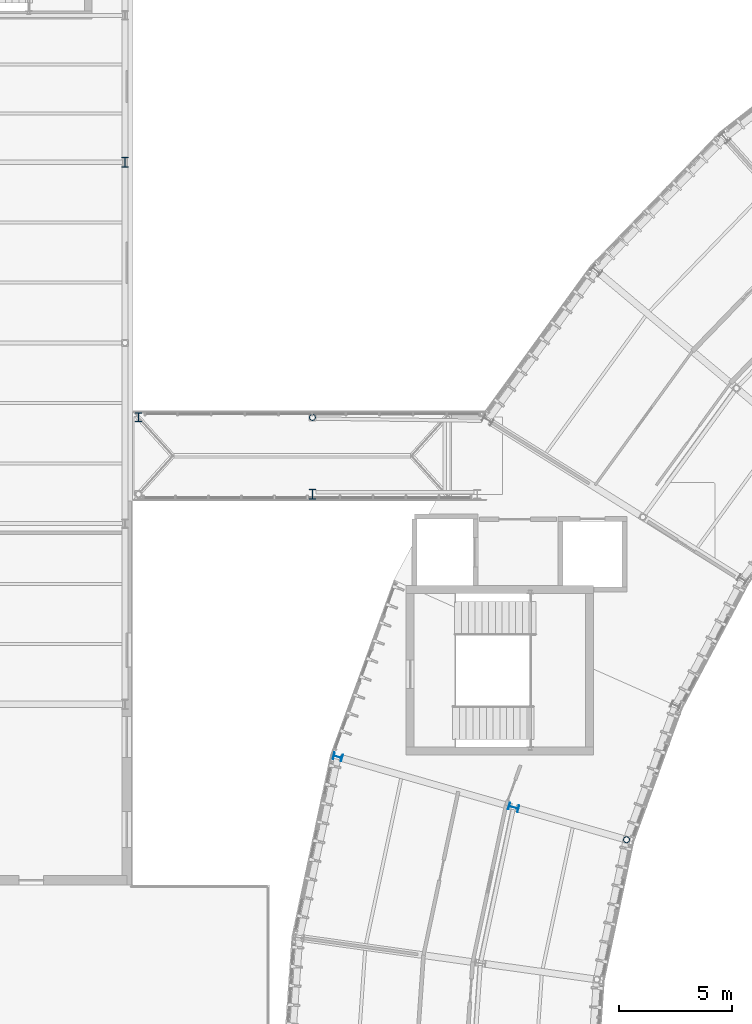
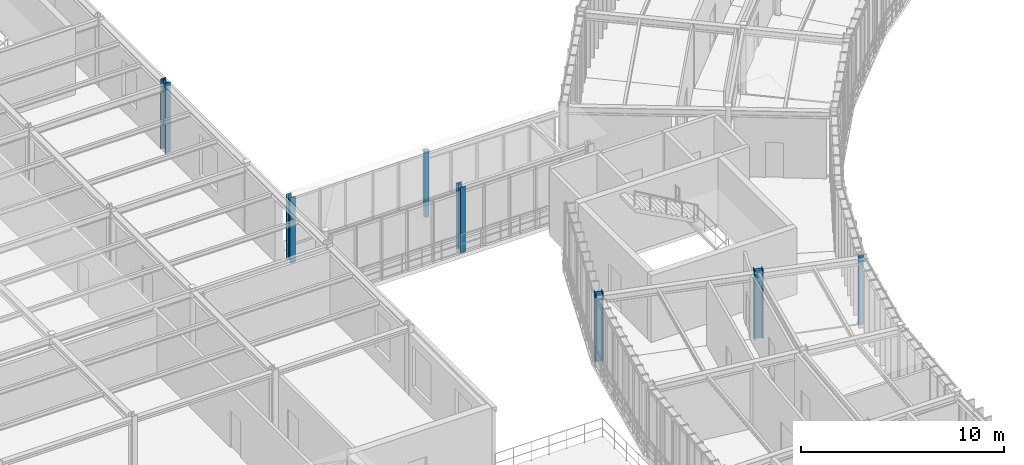
# One storey, part 4 of 52: 7 columns.
"""IFC4 building model written with IfcOpenShell, lengths in metres."""

import ifcopenshell
import ifcopenshell.guid

model = None  # the IFC model being written
_history = None  # IfcOwnerHistory: only IFC2X3 demands one
_inside = {}  # id of a spatial element -> (the spatial element, [elements in it])
_under = {}  # id of a project, library or spatial element -> (it, [spatial elements below it])
_declared = {}  # id of a project -> (the project, [libraries it declares])
_typed = {}  # id of a type object -> (the type object, [elements of that type])
_made_of = {}  # id of a material, layer set ... -> (it, [elements and type objects made of it])


def new_model(schema):
    """Start an empty IFC model of exactly this schema.

    Asked for "IFC4X3", IfcOpenShell would pick the latest addendum, in which some entities
    have other attributes; the version numbers below select the first issue.
    IFC2X3 requires an IfcOwnerHistory on every rooted entity: one is made here for all.
    """
    global model, _history
    if schema == "IFC4X3":
        model = ifcopenshell.file(schema_version=(4, 3, 0, 0))
    else:
        model = ifcopenshell.file(schema=schema)
    _inside.clear()
    _under.clear()
    _declared.clear()
    _typed.clear()
    _made_of.clear()
    _history = None
    if model.schema == "IFC2X3":
        org = make("IfcOrganization", Name="unknown")
        user = make(
            "IfcPersonAndOrganization",
            ThePerson=make("IfcPerson", FamilyName="unknown"),
            TheOrganization=org,
        )
        app = make(
            "IfcApplication",
            ApplicationDeveloper=org,
            Version="unknown",
            ApplicationFullName="unknown",
            ApplicationIdentifier="unknown",
        )
        _history = make(
            "IfcOwnerHistory",
            OwningUser=user,
            OwningApplication=app,
            ChangeAction="ADDED",
            CreationDate=0,
        )
    return model


def make(cls, **values):
    """One entity of the class cls with the attributes given. An attribute that is None is left unset."""
    return model.create_entity(
        cls, **{name: value for name, value in values.items() if value is not None}
    )


def rooted(cls, **values):
    """An entity with a GlobalId (a new one), such as an element, a storey or a relation."""
    return make(cls, GlobalId=ifcopenshell.guid.new(), OwnerHistory=_history, **values)


def si_unit(unit_type, name, prefix=None):
    """IfcSIUnit, for example si_unit("LENGTHUNIT", "METRE", prefix="MILLI")."""
    return make("IfcSIUnit", UnitType=unit_type, Prefix=prefix, Name=name)


def assignment(units):
    """IfcUnitAssignment: the units of a project."""
    return None if units is None else make("IfcUnitAssignment", Units=units)


def point(xyz):
    """IfcCartesianPoint."""
    return None if xyz is None else make("IfcCartesianPoint", Coordinates=xyz)


def direction(xyz):
    """IfcDirection."""
    return None if xyz is None else make("IfcDirection", DirectionRatios=xyz)


def frame(location, z_axis=None, x_axis=None):
    """IfcAxis2Placement3D, a coordinate frame: its origin and axes. An axis left out is left unset."""
    return make(
        "IfcAxis2Placement3D",
        Location=point(location),
        Axis=direction(z_axis),
        RefDirection=direction(x_axis),
    )


def frame_2d(location, x_axis=None):
    """IfcAxis2Placement2D, a coordinate frame in the plane: its origin and x axis."""
    return make(
        "IfcAxis2Placement2D", Location=point(location), RefDirection=direction(x_axis)
    )


def origin():
    """The frame at (0, 0, 0) with its axes left unset."""
    return frame((0.0, 0.0, 0.0))


def origin_2d():
    """The frame at (0, 0) in the plane with its x axis left unset."""
    return frame_2d((0.0, 0.0))


def place(relative_to, where):
    """IfcLocalPlacement: puts the frame where relative to a parent placement (None: the world)."""
    return make(
        "IfcLocalPlacement", PlacementRelTo=relative_to, RelativePlacement=where
    )


def context(
    kind, dimensions, precision=None, world=None, true_north=None, identifier=None
):
    """IfcGeometricRepresentationContext, for example the 3D "Model" context."""
    return make(
        "IfcGeometricRepresentationContext",
        ContextIdentifier=identifier,
        ContextType=kind,
        CoordinateSpaceDimension=dimensions,
        Precision=precision,
        WorldCoordinateSystem=world,
        TrueNorth=true_north,
    )


def subcontext(parent, identifier, kind, view, scale=None):
    """IfcGeometricRepresentationSubContext, for example "Body" below "Model"."""
    return make(
        "IfcGeometricRepresentationSubContext",
        ContextIdentifier=identifier,
        ContextType=kind,
        ParentContext=parent,
        TargetScale=scale,
        TargetView=view,
    )


def project(units=None, contexts=None):
    """IfcProject with its units and contexts."""
    return rooted(
        "IfcProject",
        Name="project",
        RepresentationContexts=contexts,
        UnitsInContext=assignment(units),
    )


def spatial(cls, under=None, at=None, **own):
    """A site, building, storey or space (cls), placed at a placement, below another one or the project."""
    s = rooted(cls, ObjectPlacement=at, **own)
    if under is not None:
        _under.setdefault(under.id(), (under, []))[1].append(s)
    return s


def profile(cls, at=None, kind="AREA", **sizes):
    """A parametric profile (cls). Its sizes go by their IFC names, for example OverallWidth=200.0."""
    return make(cls, ProfileType=kind, Position=at, **sizes)


def hollow_circle(**sizes):
    """IfcCircleHollowProfileDef."""
    return profile("IfcCircleHollowProfileDef", **sizes)


def i_section(**sizes):
    """IfcIShapeProfileDef."""
    return profile("IfcIShapeProfileDef", **sizes)


def extrude(swept, where, along, depth):
    """IfcExtrudedAreaSolid: the profile swept, set in the frame where, extruded along a direction by depth."""
    return make(
        "IfcExtrudedAreaSolid",
        SweptArea=swept,
        Position=where,
        ExtrudedDirection=direction(along),
        Depth=depth,
    )


def shape(context_of_items, identifier, shape_type, items):
    """IfcShapeRepresentation: the items that make up one representation, for example the "Body"."""
    return make(
        "IfcShapeRepresentation",
        ContextOfItems=context_of_items,
        RepresentationIdentifier=identifier,
        RepresentationType=shape_type,
        Items=items,
    )


def material(Name=None, Category=None):
    """IfcMaterial."""
    return make("IfcMaterial", Name=Name, Category=Category)


def material_profile(
    of_material, cross_section, Name=None, Category=None, Priority=None
):
    """IfcMaterialProfile: a cross section and its material."""
    return make(
        "IfcMaterialProfile",
        Name=Name,
        Material=of_material,
        Profile=cross_section,
        Priority=Priority,
        Category=Category,
    )


def profile_set(profiles, Name=None, composite=None):
    """IfcMaterialProfileSet."""
    return make(
        "IfcMaterialProfileSet",
        Name=Name,
        MaterialProfiles=profiles,
        CompositeProfile=composite,
    )


def made_of(thing, what):
    """Note that an element or type object is made of a material, layer set ...; save() writes the relation."""
    if what is not None:
        _made_of.setdefault(what.id(), (what, []))[1].append(thing)
    return thing


def type_object(cls, material=None, **own):
    """A type object (cls), such as IfcWallType, which elements share."""
    return made_of(rooted(cls, **own), material)


def element(
    cls,
    number,
    at=None,
    inside=None,
    cuts=None,
    type_object=None,
    material=None,
    context=None,
    identifier="Body",
    shape_type=None,
    held_by="IfcProductDefinitionShape",
    body=None,
    shapes=None,
    **own,
):
    """One element of the class cls, such as IfcWall. Its Tag is "e" and its number.

    at: its placement. inside: the storey or other place that contains it. cuts: it is an
    opening in that element (IfcRelVoidsElement). A single representation is given by context,
    identifier, shape_type and body (its items); several are given by shapes. held_by: the class
    of the entity that holds the representations. save() writes the other relations.
    """
    e = rooted(cls, Tag="e%d" % number, ObjectPlacement=at, **own)
    if body is not None:
        shapes = [shape(context, identifier, shape_type, body)]
    if shapes is not None:
        e.Representation = make(held_by, Representations=shapes)
    if inside is not None:
        _inside.setdefault(inside.id(), (inside, []))[1].append(e)
    if cuts is not None:
        rooted(
            "IfcRelVoidsElement", RelatingBuildingElement=cuts, RelatedOpeningElement=e
        )
    if type_object is not None:
        _typed.setdefault(type_object.id(), (type_object, []))[1].append(e)
    return made_of(e, material)


def aggregate(whole, parts):
    """IfcRelAggregates: a whole, such as a stair, and the parts it consists of."""
    return rooted("IfcRelAggregates", RelatingObject=whole, RelatedObjects=parts)


def save(model, path):
    """Write the relations noted so far, then the file.

    IfcRelAggregates (storeys below a building ...), IfcRelContainedInSpatialStructure (elements
    in a storey), IfcRelDefinesByType, IfcRelAssociatesMaterial and IfcRelDeclares: one each for
    every whole, place, type object, material and project.
    """
    for whole, parts in _under.values():
        aggregate(whole, parts)
    for where, things in _inside.values():
        rooted(
            "IfcRelContainedInSpatialStructure",
            RelatedElements=things,
            RelatingStructure=where,
        )
    for kind, things in _typed.values():
        rooted("IfcRelDefinesByType", RelatedObjects=things, RelatingType=kind)
    for what, things in _made_of.values():
        rooted("IfcRelAssociatesMaterial", RelatedObjects=things, RelatingMaterial=what)
    for by, libraries in _declared.values():
        rooted("IfcRelDeclares", RelatingContext=by, RelatedDefinitions=libraries)
    model.write(path)


model = new_model("IFC4")

# Units and contexts
model_context = context("Model", 3, precision=1e-05, world=origin(), true_north=direction((0.0, 1.0)))
body_context = subcontext(model_context, "Body", "Model", "MODEL_VIEW")
ifc_project = project(units=[si_unit("LENGTHUNIT", "METRE"), si_unit("AREAUNIT", "SQUARE_METRE"), si_unit("VOLUMEUNIT", "CUBIC_METRE"), si_unit("PLANEANGLEUNIT", "RADIAN"), si_unit("MASSUNIT", "GRAM", prefix="KILO"), si_unit("THERMODYNAMICTEMPERATUREUNIT", "KELVIN"), si_unit("POWERUNIT", "WATT")], contexts=[model_context])

# Site, building, storey
site_placement = place(None, origin())
site = spatial("IfcSite", under=ifc_project, at=site_placement, CompositionType="ELEMENT")
building_placement = place(site_placement, origin())
building = spatial("IfcBuilding", under=site, at=building_placement, Name="Solvatero Civic Police Headquarters", CompositionType="ELEMENT")
storey_placement = place(building_placement, frame((0.0, 0.0, 13.5)))
storey = spatial("IfcBuildingStorey", under=building, at=storey_placement, Name="L03", CompositionType="ELEMENT", Elevation=13.5)

# Columns
ifc_material = material(Name="Steel S355", Category="steel")
ifc_material_profile_1 = material_profile(ifc_material, hollow_circle(Radius=0.136474609375, WallThickness=0.012451171875, at=origin_2d()), Name="CHS 273.0x12.5")
ifc_profile_set_1 = profile_set([ifc_material_profile_1], Name="Steel S355")
column_type_1 = type_object("IfcColumnType", Name="COL-ST-CHS273", PredefinedType="COLUMN", material=ifc_profile_set_1)
column_1_placement = place(storey_placement, frame((50.40673828125, 38.500244140625, 0.0), z_axis=(0.0, 0.0, 1.0), x_axis=(0.275637355817, 0.961261695938, 0.0)))
element("IfcColumn", 1, at=column_1_placement, inside=storey, type_object=column_type_1, Name="Column ARC-S10-IN L03", PredefinedType="COLUMN", context=body_context, shape_type="SweptSolid", body=[
    extrude(hollow_circle(Radius=0.136474609375, WallThickness=0.012451171875, at=origin_2d()), origin(), (0.0, 0.0, 1.0), 4.199951171875),
])
column_2_placement = place(storey_placement, frame((36.5, 57.199951171875, 0.0), z_axis=(0.0, 0.0, 1.0), x_axis=(1.0, 0.0, 0.0)))
element("IfcColumn", 2, at=column_2_placement, inside=storey, type_object=column_type_1, Name="Column SB1-MID-N L03", PredefinedType="COLUMN", context=body_context, shape_type="SweptSolid", body=[
    extrude(hollow_circle(Radius=0.136474609375, WallThickness=0.012451171875, at=origin_2d()), origin(), (0.0, 0.0, 1.0), 3.93994140625),
])
ifc_material_profile_2 = material_profile(ifc_material, i_section(OverallWidth=0.300048828125, OverallDepth=0.39990234375, WebThickness=0.013427734375, FlangeThickness=0.02392578125, FilletRadius=0.027099609375, at=origin_2d()), Name="HEB 400")
ifc_profile_set_2 = profile_set([ifc_material_profile_2], Name="Steel S355")
column_type_2 = type_object("IfcColumnType", Name="COL-ST-HEB400", PredefinedType="COLUMN", material=ifc_profile_set_2)
column_3_placement = place(storey_placement, frame((37.6220703125, 42.166015625, 0.0), z_axis=(0.0, 0.0, 1.0), x_axis=(0.275637355817, 0.961261695938, 0.0)))
element("IfcColumn", 3, at=column_3_placement, inside=storey, type_object=column_type_2, Name="Column ARC-S10-OUT L03", PredefinedType="COLUMN", context=body_context, shape_type="SweptSolid", body=[
    extrude(i_section(OverallWidth=0.300048828125, OverallDepth=0.39990234375, WebThickness=0.013427734375, FlangeThickness=0.02392578125, FilletRadius=0.027099609375, at=origin_2d()), origin(), (0.0, 0.0, 1.0), 4.199951171875),
])
column_4_placement = place(storey_placement, frame((28.800048828125, 57.199951171875, 0.0), z_axis=(0.0, 0.0, 1.0), x_axis=(1.0, 0.0, 0.0)))
element("IfcColumn", 4, at=column_4_placement, inside=storey, type_object=column_type_2, Name="Column SB1-W-N L03", PredefinedType="COLUMN", context=body_context, shape_type="SweptSolid", body=[
    extrude(i_section(OverallWidth=0.300048828125, OverallDepth=0.39990234375, WebThickness=0.013427734375, FlangeThickness=0.02392578125, FilletRadius=0.027099609375, at=origin_2d()), origin(), (0.0, 0.0, 1.0), 3.93994140625),
])
ifc_material_profile_3 = material_profile(ifc_material, i_section(OverallWidth=0.300048828125, OverallDepth=0.449951171875, WebThickness=0.013916015625, FlangeThickness=0.02587890625, FilletRadius=0.027099609375, at=origin_2d()), Name="HEB 450")
ifc_profile_set_3 = profile_set([ifc_material_profile_3], Name="Steel S355")
column_type_3 = type_object("IfcColumnType", Name="COL-ST-HEB450", PredefinedType="COLUMN", material=ifc_profile_set_3)
column_5_placement = place(storey_placement, frame((45.408203125, 39.93359375, 0.0), z_axis=(0.0, 0.0, 1.0), x_axis=(0.275637355817, 0.961261695938, 0.0)))
element("IfcColumn", 5, at=column_5_placement, inside=storey, type_object=column_type_3, Name="Column ARC-S10-MID L03", PredefinedType="COLUMN", context=body_context, shape_type="SweptSolid", body=[
    extrude(i_section(OverallWidth=0.300048828125, OverallDepth=0.449951171875, WebThickness=0.013916015625, FlangeThickness=0.02587890625, FilletRadius=0.027099609375, at=origin_2d()), origin(), (0.0, 0.0, 1.0), 4.199951171875),
])
column_6_placement = place(storey_placement, frame((36.5, 53.800048828125, 0.0), z_axis=(0.0, 0.0, 1.0), x_axis=(1.0, 0.0, 0.0)))
element("IfcColumn", 6, at=column_6_placement, inside=storey, type_object=column_type_3, Name="Column SB1-MID-S L03", PredefinedType="COLUMN", context=body_context, shape_type="SweptSolid", body=[
    extrude(i_section(OverallWidth=0.300048828125, OverallDepth=0.449951171875, WebThickness=0.013916015625, FlangeThickness=0.02587890625, FilletRadius=0.027099609375, at=origin_2d()), origin(), (0.0, 0.0, 1.0), 3.93994140625),
])
column_7_placement = place(storey_placement, frame((28.199951171875, 68.5, 0.0), z_axis=(0.0, 0.0, 1.0), x_axis=(1.0, 0.0, 0.0)))
element("IfcColumn", 7, at=column_7_placement, inside=storey, type_object=column_type_3, Name="Column V6-X4Y4 L03", PredefinedType="COLUMN", context=body_context, shape_type="SweptSolid", body=[
    extrude(i_section(OverallWidth=0.300048828125, OverallDepth=0.449951171875, WebThickness=0.013916015625, FlangeThickness=0.02587890625, FilletRadius=0.027099609375, at=origin_2d()), origin(), (0.0, 0.0, 1.0), 4.199951171875),
])

save(model, "model.ifc")
